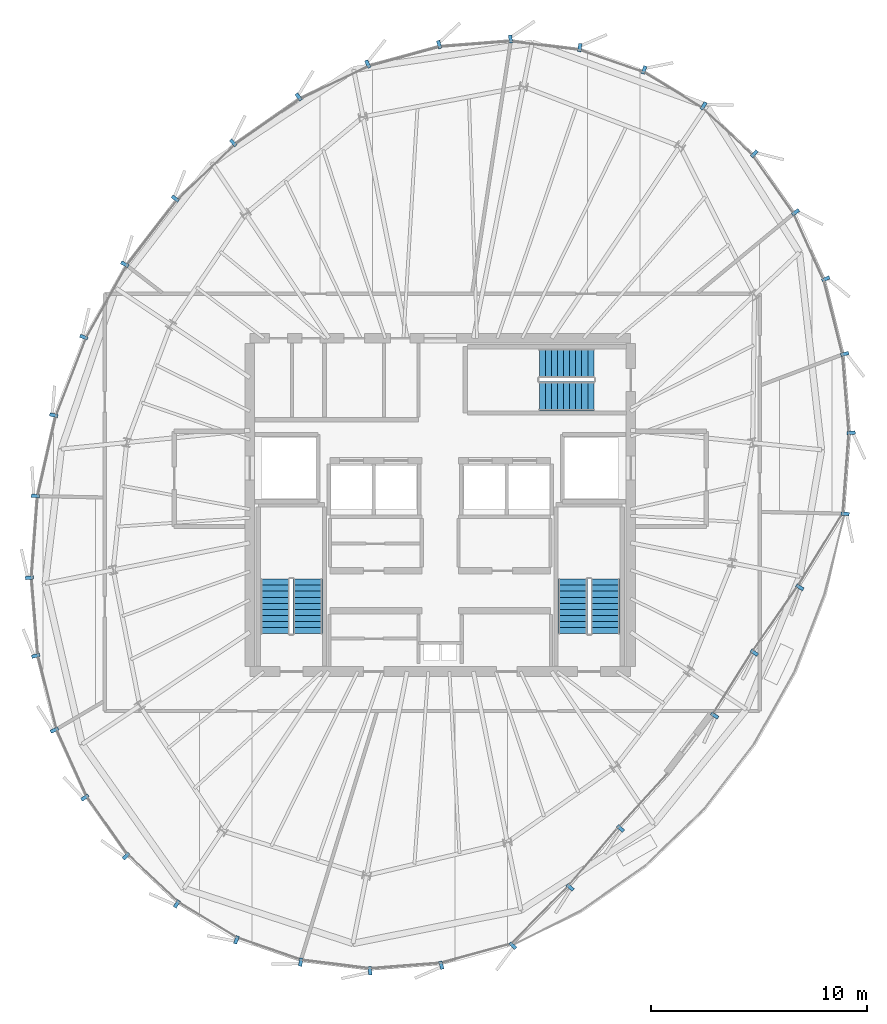
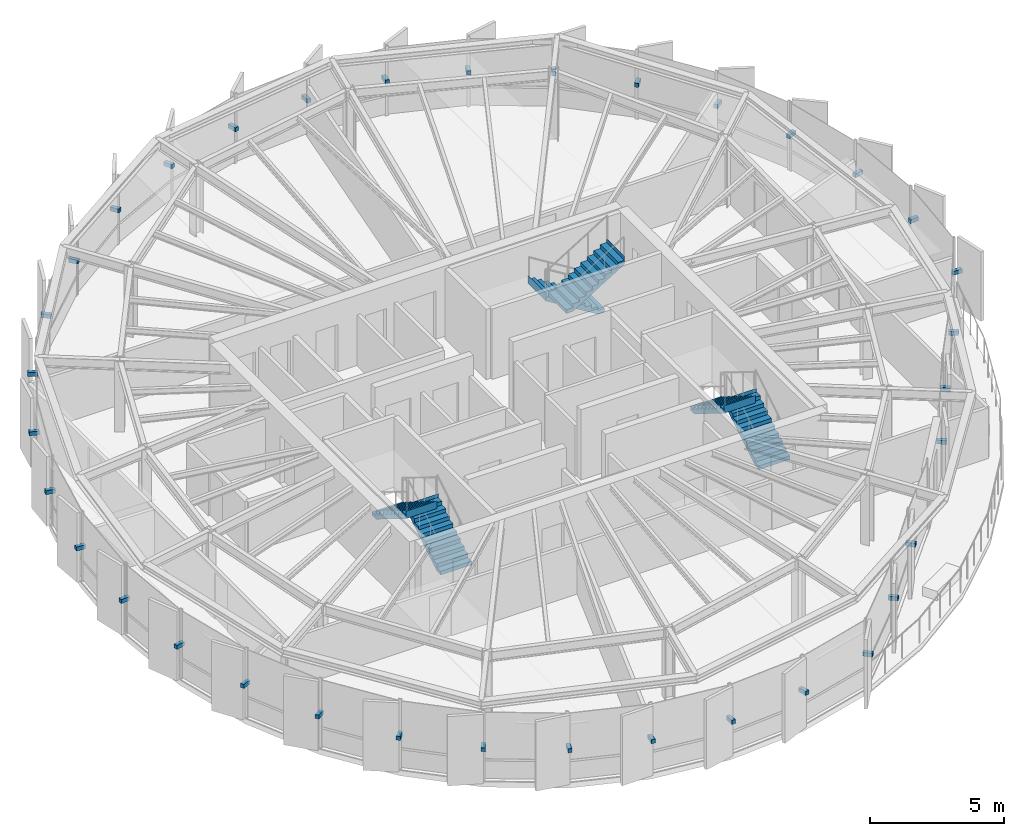
# One storey, part 26 of 30: 35 discrete accessories, 6 stair flights, 3 elements without a shape of their own.
"""IFC4 building model written with IfcOpenShell, lengths in metres."""

from ifc_helpers import new_model, si_unit, direction, frame, origin, origin_2d, place, context, subcontext, project, spatial, polyline, rectangle, outline, extrude, source, transform, mapped, material, type_object, element, aggregate, save


model = new_model("IFC4")

# Units and contexts
model_context = context("Model", 3, precision=1e-05, world=origin(), true_north=direction((0.0, 1.0)))
body_context = subcontext(model_context, "Body", "Model", "MODEL_VIEW")
ifc_project = project(units=[si_unit("LENGTHUNIT", "METRE"), si_unit("AREAUNIT", "SQUARE_METRE"), si_unit("VOLUMEUNIT", "CUBIC_METRE"), si_unit("PLANEANGLEUNIT", "RADIAN"), si_unit("MASSUNIT", "GRAM", prefix="KILO"), si_unit("THERMODYNAMICTEMPERATUREUNIT", "KELVIN")], contexts=[model_context])

# Site, building, storey
site_placement = place(None, origin())
site = spatial("IfcSite", under=ifc_project, at=site_placement, CompositionType="ELEMENT")
building_placement = place(site_placement, origin())
building = spatial("IfcBuilding", under=site, at=building_placement, Name="Kethvar Cultural Tower", CompositionType="ELEMENT")
storey_placement = place(building_placement, frame((0.0, 0.0, 293.949951171875)))
storey = spatial("IfcBuildingStorey", under=building, at=storey_placement, Name="L78", CompositionType="ELEMENT", Elevation=293.949951171875)

# Stair, stair flights
ifc_material_1 = material(Name="Concrete C40/50", Category="concrete")
stair_type = type_object("IfcStairType", Name="ST-DOGLEG-135", PredefinedType="HALF_TURN_STAIR", material=ifc_material_1)
stair_1_placement = place(storey_placement, origin())
stair_1 = element("IfcStair", 1, at=stair_1_placement, inside=storey, type_object=stair_type, Name="L78 Core Exit Stair 1", PredefinedType="HALF_TURN_STAIR")
stair_flight_type = type_object("IfcStairFlightType", Name="FL-STRAIGHT-135", PredefinedType="STRAIGHT", material=ifc_material_1)
stair_flight_1_placement = place(storey_placement, frame((40.675048828125, 21.85009765625, 0.0), z_axis=(0.0, 0.0, 1.0), x_axis=(0.0, 1.0, 0.0)))
stair_flight_1 = element("IfcStairFlight", 2, at=stair_flight_1_placement, type_object=stair_flight_type, Name="ST-01 flight 1", NumberOfRisers=10, NumberOfTreads=9, PredefinedType="STRAIGHT", RiserHeight=0.1725, TreadLength=0.28, context=body_context, shape_type="SweptSolid", body=[
    extrude(outline(polyline([(-0.0009765625, -0.0009765625), (-0.0009765625, 0.172607421875), (0.280029296875, 0.172607421875), (0.280029296875, 0.344970703125), (0.56005859375, 0.344970703125), (0.56005859375, 0.517578125), (0.840087890625, 0.517578125), (0.840087890625, 0.68994140625), (1.1201171875, 0.68994140625), (1.1201171875, 0.862548828125), (1.39990234375, 0.862548828125), (1.39990234375, 1.034912109375), (1.679931640625, 1.034912109375), (1.679931640625, 1.20751953125), (1.9599609375, 1.20751953125), (1.9599609375, 1.3798828125), (2.239990234375, 1.3798828125), (2.239990234375, 1.552490234375), (2.52001953125, 1.552490234375), (2.52001953125, 1.72509765625), (2.52099609375, 1.72509765625), (2.52099609375, 1.37646484375), (0.285888671875, 0.0), (0.0, -0.0009765625), (-0.0009765625, -0.0009765625)])), frame((0.0, 0.675048828125, 0.0), z_axis=(0.0, -1.0, 0.0), x_axis=(1.0, 0.0, 0.0)), (0.0, 0.0, 1.0), 1.35009765625),
])
stair_flight_2_placement = place(storey_placement, frame((39.1650390625, 24.3701171875, 1.72509765625), z_axis=(0.0, 0.0, 1.0), x_axis=(0.0, -1.0, 0.0)))
stair_flight_2 = element("IfcStairFlight", 3, at=stair_flight_2_placement, type_object=stair_flight_type, Name="ST-01 flight 2", NumberOfRisers=10, NumberOfTreads=9, PredefinedType="STRAIGHT", RiserHeight=0.1725, TreadLength=0.28, context=body_context, shape_type="SweptSolid", body=[
    extrude(outline(polyline([(-0.0009765625, -0.0009765625), (-0.0009765625, 0.172607421875), (0.280029296875, 0.172607421875), (0.280029296875, 0.344970703125), (0.56005859375, 0.344970703125), (0.56005859375, 0.517578125), (0.840087890625, 0.517578125), (0.840087890625, 0.68994140625), (1.1201171875, 0.68994140625), (1.1201171875, 0.862548828125), (1.39990234375, 0.862548828125), (1.39990234375, 1.034912109375), (1.679931640625, 1.034912109375), (1.679931640625, 1.20751953125), (1.9599609375, 1.20751953125), (1.9599609375, 1.3798828125), (2.239990234375, 1.3798828125), (2.239990234375, 1.552490234375), (2.52001953125, 1.552490234375), (2.52001953125, 1.72509765625), (2.52099609375, 1.72509765625), (2.52099609375, 1.37646484375), (0.285888671875, 0.0), (0.0, -0.0009765625), (-0.0009765625, -0.0009765625)])), frame((0.0, 0.675048828125, 0.0), z_axis=(0.0, -1.0, 0.0), x_axis=(1.0, 0.0, 0.0)), (0.0, 0.0, 1.0), 1.35009765625),
])
aggregate(stair_1, [stair_flight_1, stair_flight_2])

stair_2_placement = place(storey_placement, origin())
stair_2 = element("IfcStair", 4, at=stair_2_placement, inside=storey, type_object=stair_type, Name="L78 Core Exit Stair 2", PredefinedType="HALF_TURN_STAIR")
stair_flight_3_placement = place(storey_placement, frame((54.43505859375, 21.85009765625, 0.0), z_axis=(0.0, 0.0, 1.0), x_axis=(0.0, 1.0, 0.0)))
stair_flight_3 = element("IfcStairFlight", 5, at=stair_flight_3_placement, type_object=stair_flight_type, Name="ST-02 flight 1", NumberOfRisers=10, NumberOfTreads=9, PredefinedType="STRAIGHT", RiserHeight=0.1725, TreadLength=0.28, context=body_context, shape_type="SweptSolid", body=[
    extrude(outline(polyline([(-0.0009765625, -0.0009765625), (-0.0009765625, 0.172607421875), (0.280029296875, 0.172607421875), (0.280029296875, 0.344970703125), (0.56005859375, 0.344970703125), (0.56005859375, 0.517578125), (0.840087890625, 0.517578125), (0.840087890625, 0.68994140625), (1.1201171875, 0.68994140625), (1.1201171875, 0.862548828125), (1.39990234375, 0.862548828125), (1.39990234375, 1.034912109375), (1.679931640625, 1.034912109375), (1.679931640625, 1.20751953125), (1.9599609375, 1.20751953125), (1.9599609375, 1.3798828125), (2.239990234375, 1.3798828125), (2.239990234375, 1.552490234375), (2.52001953125, 1.552490234375), (2.52001953125, 1.72509765625), (2.52099609375, 1.72509765625), (2.52099609375, 1.37646484375), (0.285888671875, 0.0), (0.0, -0.0009765625), (-0.0009765625, -0.0009765625)])), frame((0.0, 0.675048828125, 0.0), z_axis=(0.0, -1.0, 0.0), x_axis=(1.0, 0.0, 0.0)), (0.0, 0.0, 1.0), 1.35009765625),
])
stair_flight_4_placement = place(storey_placement, frame((52.925048828125, 24.3701171875, 1.72509765625), z_axis=(0.0, 0.0, 1.0), x_axis=(0.0, -1.0, 0.0)))
stair_flight_4 = element("IfcStairFlight", 6, at=stair_flight_4_placement, type_object=stair_flight_type, Name="ST-02 flight 2", NumberOfRisers=10, NumberOfTreads=9, PredefinedType="STRAIGHT", RiserHeight=0.1725, TreadLength=0.28, context=body_context, shape_type="SweptSolid", body=[
    extrude(outline(polyline([(-0.0009765625, -0.0009765625), (-0.0009765625, 0.172607421875), (0.280029296875, 0.172607421875), (0.280029296875, 0.344970703125), (0.56005859375, 0.344970703125), (0.56005859375, 0.517578125), (0.840087890625, 0.517578125), (0.840087890625, 0.68994140625), (1.1201171875, 0.68994140625), (1.1201171875, 0.862548828125), (1.39990234375, 0.862548828125), (1.39990234375, 1.034912109375), (1.679931640625, 1.034912109375), (1.679931640625, 1.20751953125), (1.9599609375, 1.20751953125), (1.9599609375, 1.3798828125), (2.239990234375, 1.3798828125), (2.239990234375, 1.552490234375), (2.52001953125, 1.552490234375), (2.52001953125, 1.72509765625), (2.52099609375, 1.72509765625), (2.52099609375, 1.37646484375), (0.285888671875, 0.0), (0.0, -0.0009765625), (-0.0009765625, -0.0009765625)])), frame((0.0, 0.675048828125, 0.0), z_axis=(0.0, -1.0, 0.0), x_axis=(1.0, 0.0, 0.0)), (0.0, 0.0, 1.0), 1.35009765625),
])
aggregate(stair_2, [stair_flight_3, stair_flight_4])

stair_3_placement = place(storey_placement, origin())
stair_3 = element("IfcStair", 7, at=stair_3_placement, inside=storey, type_object=stair_type, Name="L78 Core Exit Stair 3", PredefinedType="HALF_TURN_STAIR")
stair_flight_5_placement = place(storey_placement, frame((53.89990234375, 34.3349609375, 0.0), z_axis=(0.0, 0.0, 1.0), x_axis=(-1.0, 0.0, 0.0)))
stair_flight_5 = element("IfcStairFlight", 8, at=stair_flight_5_placement, type_object=stair_flight_type, Name="ST-03 flight 1", NumberOfRisers=10, NumberOfTreads=9, PredefinedType="STRAIGHT", RiserHeight=0.1725, TreadLength=0.28, context=body_context, shape_type="SweptSolid", body=[
    extrude(outline(polyline([(-0.0009765625, -0.0009765625), (-0.0009765625, 0.172607421875), (0.280029296875, 0.172607421875), (0.280029296875, 0.344970703125), (0.56005859375, 0.344970703125), (0.56005859375, 0.517578125), (0.840087890625, 0.517578125), (0.840087890625, 0.68994140625), (1.1201171875, 0.68994140625), (1.1201171875, 0.862548828125), (1.39990234375, 0.862548828125), (1.39990234375, 1.034912109375), (1.679931640625, 1.034912109375), (1.679931640625, 1.20751953125), (1.9599609375, 1.20751953125), (1.9599609375, 1.3798828125), (2.239990234375, 1.3798828125), (2.239990234375, 1.552490234375), (2.52001953125, 1.552490234375), (2.52001953125, 1.72509765625), (2.52099609375, 1.72509765625), (2.52099609375, 1.37646484375), (0.285888671875, 0.0), (0.0, -0.0009765625), (-0.0009765625, -0.0009765625)])), frame((0.0, 0.675048828125, 0.0), z_axis=(0.0, -1.0, 0.0), x_axis=(1.0, 0.0, 0.0)), (0.0, 0.0, 1.0), 1.35009765625),
])
stair_flight_6_placement = place(storey_placement, frame((51.3798828125, 32.824951171875, 1.72509765625), z_axis=(0.0, 0.0, 1.0), x_axis=(1.0, 0.0, 0.0)))
stair_flight_6 = element("IfcStairFlight", 9, at=stair_flight_6_placement, type_object=stair_flight_type, Name="ST-03 flight 2", NumberOfRisers=10, NumberOfTreads=9, PredefinedType="STRAIGHT", RiserHeight=0.1725, TreadLength=0.28, context=body_context, shape_type="SweptSolid", body=[
    extrude(outline(polyline([(-0.0009765625, -0.0009765625), (-0.0009765625, 0.172607421875), (0.280029296875, 0.172607421875), (0.280029296875, 0.344970703125), (0.56005859375, 0.344970703125), (0.56005859375, 0.517578125), (0.840087890625, 0.517578125), (0.840087890625, 0.68994140625), (1.1201171875, 0.68994140625), (1.1201171875, 0.862548828125), (1.39990234375, 0.862548828125), (1.39990234375, 1.034912109375), (1.679931640625, 1.034912109375), (1.679931640625, 1.20751953125), (1.9599609375, 1.20751953125), (1.9599609375, 1.3798828125), (2.239990234375, 1.3798828125), (2.239990234375, 1.552490234375), (2.52001953125, 1.552490234375), (2.52001953125, 1.72509765625), (2.52099609375, 1.72509765625), (2.52099609375, 1.37646484375), (0.285888671875, 0.0), (0.0, -0.0009765625), (-0.0009765625, -0.0009765625)])), frame((0.0, 0.675048828125, 0.0), z_axis=(0.0, -1.0, 0.0), x_axis=(1.0, 0.0, 0.0)), (0.0, 0.0, 1.0), 1.35009765625),
])
aggregate(stair_3, [stair_flight_5, stair_flight_6])

# Discrete accessories
ifc_material_2 = material(Name="Steel S355J2", Category="steel")
discrete_accessory_type = type_object("IfcDiscreteAccessoryType", Name="Steel Fin Bracket BRK-01", PredefinedType="BRACKET", material=ifc_material_2)
shared_shape = source(origin(), body_context, "Body", "SweptSolid", [
    extrude(rectangle(XDim=0.3798828125, YDim=0.159912109375, at=origin_2d()), origin(), (0.0, 0.0, 1.0), 0.179931640625),
])
for number, where, z_axis, x_axis, name in (
    (10, (56.219970703125, 47.904296875, 1.51513671875), (0.0, 0.0, 1.0), (0.327382818692, 0.944891787468, 0.0), "L78 Terracotta Fin Bracket 1.1"),
    (11, (53.249267578125, 48.93359375, 1.51513671875), (0.0, 0.0, 1.0), (0.12360147674, 0.992331937885, 0.0), "L78 Terracotta Fin Bracket 1.2"),
    (12, (50.048828125, 49.331787109375, 1.51513671875), (0.0, 0.0, 1.0), (-0.077241073187, 0.997012445566, 0.0), "L78 Terracotta Fin Bracket 1.3"),
    (13, (46.75, 49.075927734375, 1.51513671875), (0.0, 0.0, 1.0), (-0.263873049965, 0.964557418458, 0.0), "L78 Terracotta Fin Bracket 1.4"),
    (14, (43.452392578125, 48.173583984375, 1.51513671875), (0.0, 0.0, 1.0), (-0.429880868547, 0.902885617815, 0.0), "L78 Terracotta Fin Bracket 1.5"),
    (15, (40.257080078125, 46.65234375, 1.51513671875), (0.0, 0.0, 1.0), (-0.572718307995, 0.819752242868, 0.0), "L78 Terracotta Fin Bracket 1.6"),
    (16, (37.234619140625, 44.533447265625, 1.51513671875), (0.0, 0.0, 1.0), (-0.69315026625, 0.720793110676, 0.0), "L78 Terracotta Fin Bracket 2.1"),
    (17, (34.55322265625, 41.955078125, 1.51513671875), (0.0, 0.0, 1.0), (-0.792396121708, 0.61000687398, 0.0), "L78 Terracotta Fin Bracket 2.2"),
    (18, (32.21875, 38.921875, 1.51513671875), (0.0, 0.0, 1.0), (-0.872069272432, 0.489382451749, 0.0), "L78 Terracotta Fin Bracket 2.3"),
    (19, (30.326904296875, 35.55078125, 1.51513671875), (0.0, 0.0, 1.0), (-0.932953534825, 0.35999680812, 0.0), "L78 Terracotta Fin Bracket 2.4"),
    (20, (28.935302734375, 31.9443359375, 1.51513671875), (0.0, 0.0, 1.0), (-0.975110671946, 0.221718689914, 0.0), "L78 Terracotta Fin Bracket 2.5"),
    (21, (28.0869140625, 28.2119140625, 1.51513671875), (0.0, 0.0, 1.0), (-0.997211245286, 0.074630638989, 0.0), "L78 Terracotta Fin Bracket 2.6"),
    (22, (27.809814453125, 24.431396484375, 1.51513671875), (0.0, 0.0, 1.0), (-0.996694347809, -0.081242704565, 0.0), "L78 Terracotta Fin Bracket 3.1"),
    (23, (28.103515625, 20.822998046875, 1.51513671875), (0.0, 0.0, 1.0), (-0.969659051809, -0.244461291916, 0.0), "L78 Terracotta Fin Bracket 3.2"),
    (24, (28.968505859375, 17.390869140625, 1.51513671875), (0.0, 0.0, 1.0), (-0.911403276635, -0.411514358605, 0.0), "L78 Terracotta Fin Bracket 3.3"),
    (25, (30.37548828125, 14.275146484375, 1.51513671875), (0.0, 0.0, 1.0), (-0.817446605564, -0.576004381105, 0.0), "L78 Terracotta Fin Bracket 3.4"),
    (26, (32.28173828125, 11.5703125, 1.51513671875), (0.0, 0.0, 1.0), (-0.685818352927, -0.727772757657, 0.0), "L78 Terracotta Fin Bracket 3.5"),
    (27, (34.62890625, 9.358642578125, 1.51513671875), (0.0, 0.0, 1.0), (-0.519369972768, -0.854549490308, 0.0), "L78 Terracotta Fin Bracket 3.6"),
    (28, (37.3798828125, 7.695556640625, 1.51513671875), (0.0, 0.0, 1.0), (-0.327382818692, -0.944891787468, 0.0), "L78 Terracotta Fin Bracket 4.1"),
    (29, (40.350830078125, 6.66650390625, 1.51513671875), (0.0, 0.0, 1.0), (-0.12360147674, -0.992331937885, 0.0), "L78 Terracotta Fin Bracket 4.2"),
    (30, (43.55126953125, 6.26806640625, 1.51513671875), (0.0, 0.0, 1.0), (0.077241073187, -0.997012445566, 0.0), "L78 Terracotta Fin Bracket 4.3"),
    (31, (46.85009765625, 6.524169921875, 1.51513671875), (0.0, 0.0, 1.0), (0.263873049965, -0.964557418458, 0.0), "L78 Terracotta Fin Bracket 4.4"),
    (32, (50.150390625, 7.428466796875, 1.51513671875), (0.0, 0.0, 1.0), (0.712638518925, -0.701531425771, 0.0), "L78 Terracotta Fin Bracket 4.5"),
    (33, (52.802734375, 10.122802734375, 1.51513671875), (0.0, 0.0, 1.0), (0.760179219143, -0.649713440513, 0.0), "L78 Terracotta Fin Bracket 4.6"),
    (34, (55.13037109375, 12.843994140625, 1.51513671875), (0.0, 0.0, 1.0), (0.737513117358, -0.675332808121, 0.0), "L78 Terracotta Fin Bracket 5.1"),
    (35, (59.47998046875, 18.0625, 1.51513671875), (0.0, 0.0, 1.0), (0.845355082426, -0.534204815232, 0.0), "L78 Terracotta Fin Bracket 6.1"),
    (36, (61.31591796875, 20.967529296875, 1.51513671875), (0.0, 0.0, 1.0), (0.821348375719, -0.570426897773, 0.0), "L78 Terracotta Fin Bracket 6.2"),
    (37, (63.416015625, 23.991455078125, 1.51513671875), (0.0, 0.0, 1.0), (0.850719384362, -0.52562013762, 0.0), "L78 Terracotta Fin Bracket 6.3"),
    (38, (65.51318359375, 27.38818359375, 1.51513671875), (0.0, 0.0, 1.0), (0.997211245286, -0.074630638989, 0.0), "L78 Terracotta Fin Bracket 6.4"),
    (39, (65.793212890625, 31.133056640625, 1.51513671875), (0.0, 0.0, 1.0), (0.996694347809, 0.081242704565, 0.0), "L78 Terracotta Fin Bracket 6.5"),
    (40, (65.496337890625, 34.777099609375, 1.51513671875), (0.0, 0.0, 1.0), (0.969659051809, 0.244461291916, 0.0), "L78 Terracotta Fin Bracket 6.6"),
    (41, (64.61669921875, 38.24169921875, 1.51513671875), (0.0, 0.0, 1.0), (0.911403276635, 0.411514358605, 0.0), "L78 Terracotta Fin Bracket 7.1"),
    (42, (63.224609375, 41.32470703125, 1.51513671875), (0.0, 0.0, 1.0), (0.817446605564, 0.576004381105, 0.0), "L78 Terracotta Fin Bracket 7.2"),
    (43, (61.318359375, 44.02978515625, 1.51513671875), (0.0, 0.0, 1.0), (0.685818352927, 0.727772757657, 0.0), "L78 Terracotta Fin Bracket 7.3"),
    (44, (58.970947265625, 46.241455078125, 1.51513671875), (0.0, 0.0, 1.0), (0.519369972768, 0.854549490308, 0.0), "L78 Terracotta Fin Bracket 7.4"),
):
    element("IfcDiscreteAccessory", number, at=place(storey_placement, frame(where, z_axis=z_axis, x_axis=x_axis)), inside=storey, type_object=discrete_accessory_type, Name=name, PredefinedType="BRACKET", context=body_context, shape_type="MappedRepresentation", body=[
        mapped(shared_shape, transform((0.0, 0.0, 0.0), scale=1.0)),
    ])

save(model, "model.ifc")
